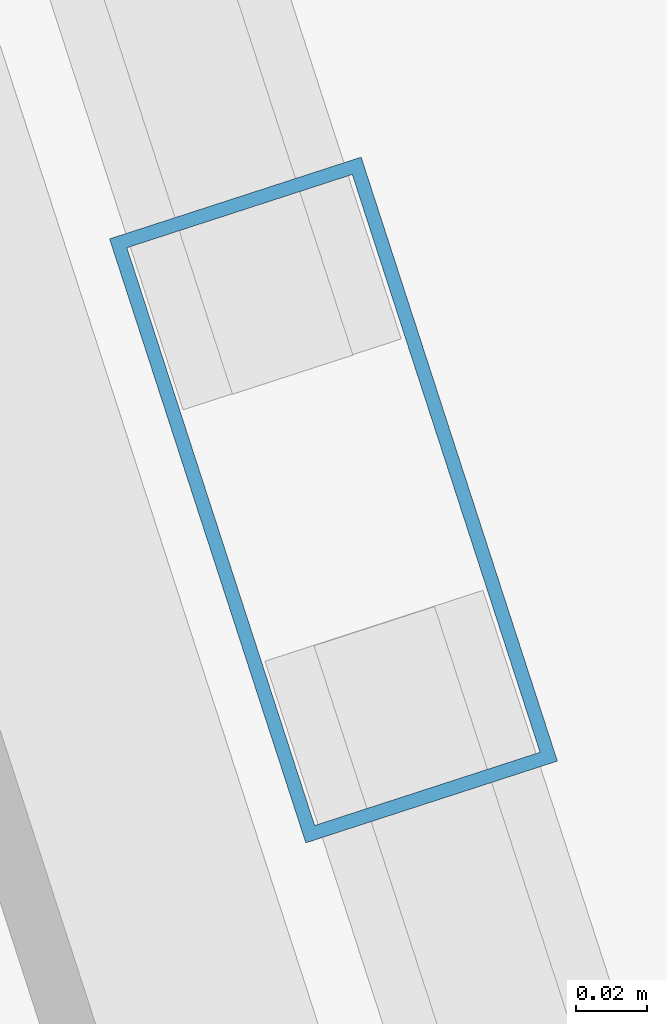
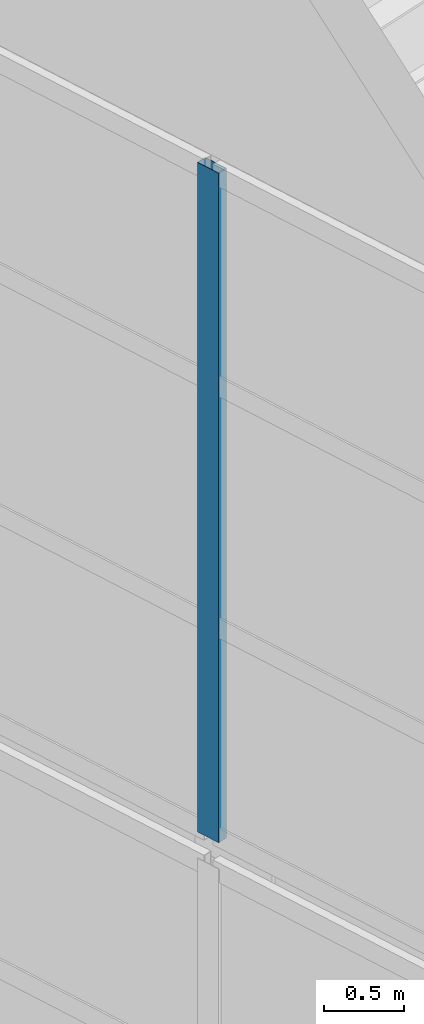
# One storey, part 23 of 56: 1 member, 1 element without a shape of its own.
"""IFC4 building model written with IfcOpenShell, lengths in metres."""

from ifc_helpers import new_model, si_unit, direction, frame, origin, origin_2d, place, context, subcontext, project, spatial, hollow_rectangle, extrude, material, layer, layer_set, material_profile, profile_set, type_object, element, aggregate, save


model = new_model("IFC4")

# Units and contexts
model_context = context("Model", 3, precision=1e-05, world=origin(), true_north=direction((0.0, 1.0)))
body_context = subcontext(model_context, "Body", "Model", "MODEL_VIEW")
ifc_project = project(units=[si_unit("LENGTHUNIT", "METRE"), si_unit("AREAUNIT", "SQUARE_METRE"), si_unit("VOLUMEUNIT", "CUBIC_METRE"), si_unit("PLANEANGLEUNIT", "RADIAN"), si_unit("MASSUNIT", "GRAM", prefix="KILO")], contexts=[model_context])

# Site, building, storey
site_placement = place(None, origin())
site = spatial("IfcSite", under=ifc_project, at=site_placement, CompositionType="ELEMENT")
building_placement = place(site_placement, origin())
building = spatial("IfcBuilding", under=site, at=building_placement, Name="Qiaolan Cultural Towers", CompositionType="ELEMENT")
storey_placement = place(building_placement, frame((0.0, 0.0, 250.39990234375)))
storey = spatial("IfcBuildingStorey", under=building, at=storey_placement, Name="L68", CompositionType="ELEMENT", Elevation=250.39990234375)

# Curtain wall, member
ifc_material_1 = material(Name="Unitized Anodized Aluminium Curtain Wall System", Category="aluminium")
ifc_layer = layer(ifc_material_1, 0.199951171875)
ifc_layer_set = layer_set([ifc_layer], Name="Unitized Anodized Aluminium Curtain Wall System")
curtain_wall_type = type_object("IfcCurtainWallType", Name="CWS-06", PredefinedType="NOTDEFINED", material=ifc_layer_set)
curtain_wall_placement = place(storey_placement, origin())
curtain_wall = element("IfcCurtainWall", 1, at=curtain_wall_placement, inside=storey, type_object=curtain_wall_type, Name="T2 Crown Tier 5 Fritted Screen Curtain Wall 7", PredefinedType="NOTDEFINED")
ifc_material_2 = material(Name="Extruded Aluminium 6063-T6", Category="aluminium")
ifc_material_profile = material_profile(ifc_material_2, hollow_rectangle(XDim=0.074951171875, YDim=0.179931640625, WallThickness=0.00390625, at=origin_2d()), Name="CWM-180x75x4")
ifc_profile_set = profile_set([ifc_material_profile], Name="Extruded Aluminium 6063-T6")
member_type = type_object("IfcMemberType", Name="CWS-06-MUL", PredefinedType="MULLION", material=ifc_profile_set)
member_placement = place(storey_placement, frame((76.827880859375, 29.72021484375, 21.300048828125), z_axis=(0.0, 0.0, 1.0), x_axis=(0.951056535512, 0.309016935232, 0.0)))
member = element("IfcMember", 2, at=member_placement, type_object=member_type, Name="CW-6 mullion 4", PredefinedType="MULLION", context=body_context, shape_type="SweptSolid", body=[
    extrude(hollow_rectangle(XDim=0.074951171875, YDim=0.179931640625, WallThickness=0.00390625, at=origin_2d()), origin(), (0.0, 0.0, 1.0), 5.10009765625),
])
aggregate(curtain_wall, [member])

save(model, "model.ifc")
